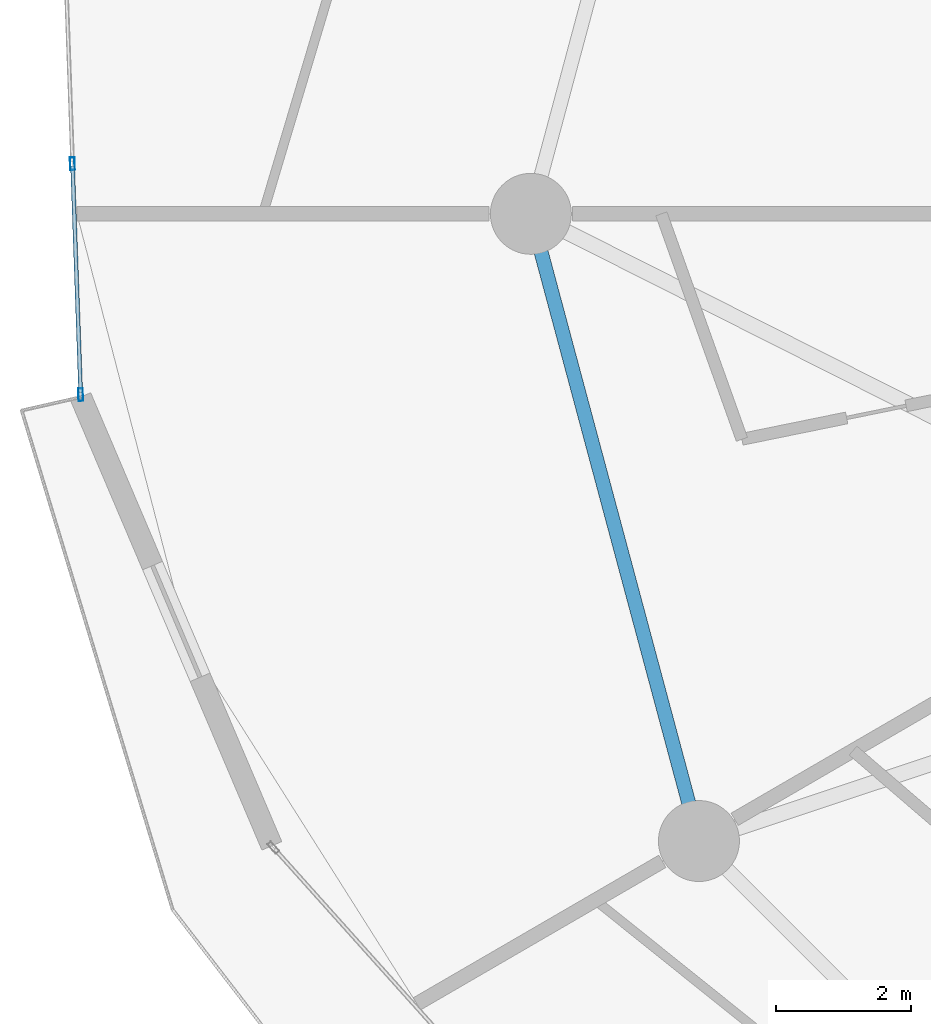
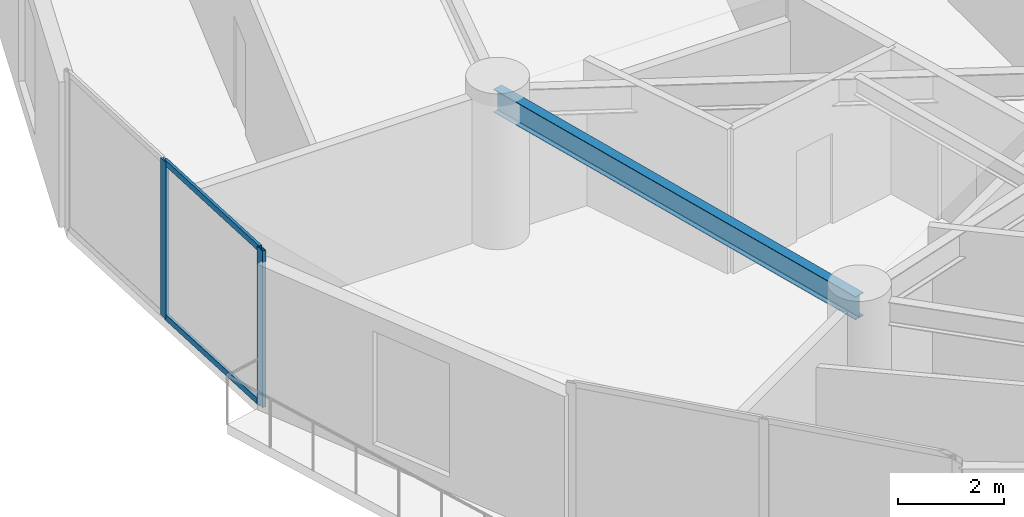
# One storey, part 4 of 23: 4 members, 1 beam, 1 element without a shape of its own.
"""IFC4 building model written with IfcOpenShell, lengths in metres."""

from ifc_helpers import new_model, si_unit, direction, frame, origin, origin_2d, place, context, subcontext, project, spatial, hollow_rectangle, i_section, extrude, source, transform, mapped, material, layer, layer_set, material_profile, profile_set, type_object, element, aggregate, save


model = new_model("IFC4")

# Units and contexts
model_context = context("Model", 3, precision=1e-05, world=origin(), true_north=direction((0.0, 1.0)))
body_context = subcontext(model_context, "Body", "Model", "MODEL_VIEW")
ifc_project = project(units=[si_unit("LENGTHUNIT", "METRE"), si_unit("AREAUNIT", "SQUARE_METRE"), si_unit("VOLUMEUNIT", "CUBIC_METRE"), si_unit("PLANEANGLEUNIT", "RADIAN"), si_unit("MASSUNIT", "GRAM", prefix="KILO")], contexts=[model_context])

# Site, building, storey
site_placement = place(None, origin())
site = spatial("IfcSite", under=ifc_project, at=site_placement, CompositionType="ELEMENT")
building_placement = place(site_placement, origin())
building = spatial("IfcBuilding", under=site, at=building_placement, Name="Solvirekh Grand Hotel", CompositionType="ELEMENT")
storey_placement = place(building_placement, frame((0.0, 0.0, 42.800048828125)))
storey = spatial("IfcBuildingStorey", under=building, at=storey_placement, Name="L09", CompositionType="ELEMENT", Elevation=42.800048828125)

# Beam
ifc_material_1 = material(Name="Steel S355", Category="steel")
ifc_material_profile_1 = material_profile(ifc_material_1, i_section(OverallWidth=0.208984375, OverallDepth=0.532958984375, WebThickness=0.010009765625, FlangeThickness=0.014892578125, FilletRadius=0.013916015625, at=origin_2d()), Name="W530X92")
ifc_profile_set_1 = profile_set([ifc_material_profile_1], Name="Steel S355")
beam_type = type_object("IfcBeamType", Name="Spandrel_Ring_W530", PredefinedType="SPANDREL", material=ifc_profile_set_1)
beam_placement = place(storey_placement, frame((-18.60009765625, 0.0, 3.072998046875), z_axis=(0.258842973314, -0.965919414426, 0.0), x_axis=(0.965919414426, 0.258842973314, 0.0)))
element("IfcBeam", 1, at=beam_placement, inside=storey, type_object=beam_type, Name="L09 perimeter spandrel beam 7", PredefinedType="SPANDREL", context=body_context, shape_type="SweptSolid", body=[
    extrude(i_section(OverallWidth=0.208984375, OverallDepth=0.532958984375, WebThickness=0.010009765625, FlangeThickness=0.014892578125, FilletRadius=0.013916015625, at=origin_2d()), origin(), (0.0, 0.0, 1.0), 9.628173828125),
])

# Curtain wall, members
ifc_material_2 = material(Name="Anodized Bronze Aluminium 6063-T6", Category="aluminium")
ifc_layer = layer(ifc_material_2, 0.18994140625)
ifc_layer_set = layer_set([ifc_layer], Name="Anodized Bronze Aluminium 6063-T6")
curtain_wall_type = type_object("IfcCurtainWallType", Name="CW_Sys2_LowZoneFlushBronzeCW", PredefinedType="NOTDEFINED", material=ifc_layer_set)
curtain_wall_placement = place(storey_placement, origin())
curtain_wall = element("IfcCurtainWall", 2, at=curtain_wall_placement, inside=storey, type_object=curtain_wall_type, Name="L09 unitised bronze-glass curtain wall CW-L09-C11", PredefinedType="NOTDEFINED")
ifc_material_profile_2 = material_profile(ifc_material_2, hollow_rectangle(XDim=0.06005859375, YDim=0.135009765625, WallThickness=0.00390625, at=origin_2d()), Name="ALU RHS 135X60X4")
ifc_profile_set_2 = profile_set([ifc_material_profile_2], Name="Anodized Bronze Aluminium 6063-T6")
member_type_1 = type_object("IfcMemberType", Name="CWTransom_Sys2", PredefinedType="USERDEFINED", material=ifc_profile_set_2)
shared_shape_1 = source(origin(), body_context, "Body", "SweptSolid", [
    extrude(hollow_rectangle(XDim=0.06005859375, YDim=0.135009765625, WallThickness=0.00390625, at=origin_2d()), origin(), (0.0, 0.0, 1.0), 3.357666015625),
])
member_1_placement = place(storey_placement, frame((-25.396240234375, 0.70947265625, 0.030029296875), z_axis=(0.035629284559, -0.999365075476, 0.0), x_axis=(0.999365075476, 0.035629284559, 0.0)))
member_1 = element("IfcMember", 3, at=member_1_placement, type_object=member_type_1, Name="U02 transom 2.1", ObjectType="TRANSOM", PredefinedType="USERDEFINED", context=body_context, shape_type="MappedRepresentation", body=[
    mapped(shared_shape_1, transform((0.0, 0.0, 0.0), x_axis=(1.0, 0.0, 0.0), y_axis=(0.0, 1.0, 0.0), z_axis=(0.0, 0.0, 1.0), scale=1.0)),
])
member_2_placement = place(storey_placement, frame((-25.396240234375, 0.70947265625, 3.570068359375), z_axis=(0.035629284559, -0.999365075476, 0.0), x_axis=(0.999365075476, 0.035629284559, 0.0)))
member_2 = element("IfcMember", 4, at=member_2_placement, type_object=member_type_1, Name="U02 transom 2.2", ObjectType="TRANSOM", PredefinedType="USERDEFINED", context=body_context, shape_type="MappedRepresentation", body=[
    mapped(shared_shape_1, transform((0.0, 0.0, 0.0), x_axis=(1.0, 0.0, 0.0), y_axis=(0.0, 1.0, 0.0), z_axis=(0.0, 0.0, 1.0), scale=1.0)),
])
ifc_material_profile_3 = material_profile(ifc_material_2, hollow_rectangle(XDim=0.070068359375, YDim=0.18994140625, WallThickness=0.0048828125, at=origin_2d()), Name="ALU RHS 190X70X5")
ifc_profile_set_3 = profile_set([ifc_material_profile_3], Name="Anodized Bronze Aluminium 6063-T6")
member_type_2 = type_object("IfcMemberType", Name="CWMullion_Sys2", PredefinedType="MULLION", material=ifc_profile_set_3)
shared_shape_2 = source(origin(), body_context, "Body", "SweptSolid", [
    extrude(hollow_rectangle(XDim=0.070068359375, YDim=0.18994140625, WallThickness=0.0048828125, at=origin_2d()), origin(), (0.0, 0.0, 1.0), 3.599853515625),
])
member_3_placement = place(storey_placement, frame((-25.3974609375, 0.744384765625, 0.0), z_axis=(0.0, 0.0, 1.0), x_axis=(0.999363773735, 0.035665778374, 0.0)))
member_3 = element("IfcMember", 5, at=member_3_placement, type_object=member_type_2, Name="U02 mullion 2", PredefinedType="MULLION", context=body_context, shape_type="MappedRepresentation", body=[
    mapped(shared_shape_2, transform((0.0, 0.0, 0.0), x_axis=(1.0, 0.0, 0.0), y_axis=(0.0, 1.0, 0.0), z_axis=(0.0, 0.0, 1.0), scale=1.0)),
])
member_4_placement = place(storey_placement, frame((-25.275146484375, -2.680908203125, 0.0), z_axis=(0.0, 0.0, 1.0), x_axis=(0.999363773735, 0.035665778374, 0.0)))
member_4 = element("IfcMember", 6, at=member_4_placement, type_object=member_type_2, Name="U02 mullion 3", PredefinedType="MULLION", context=body_context, shape_type="MappedRepresentation", body=[
    mapped(shared_shape_2, transform((0.0, 0.0, 0.0), x_axis=(1.0, 0.0, 0.0), y_axis=(0.0, 1.0, 0.0), z_axis=(0.0, 0.0, 1.0), scale=1.0)),
])
aggregate(curtain_wall, [member_3, member_4, member_1, member_2])

save(model, "model.ifc")
